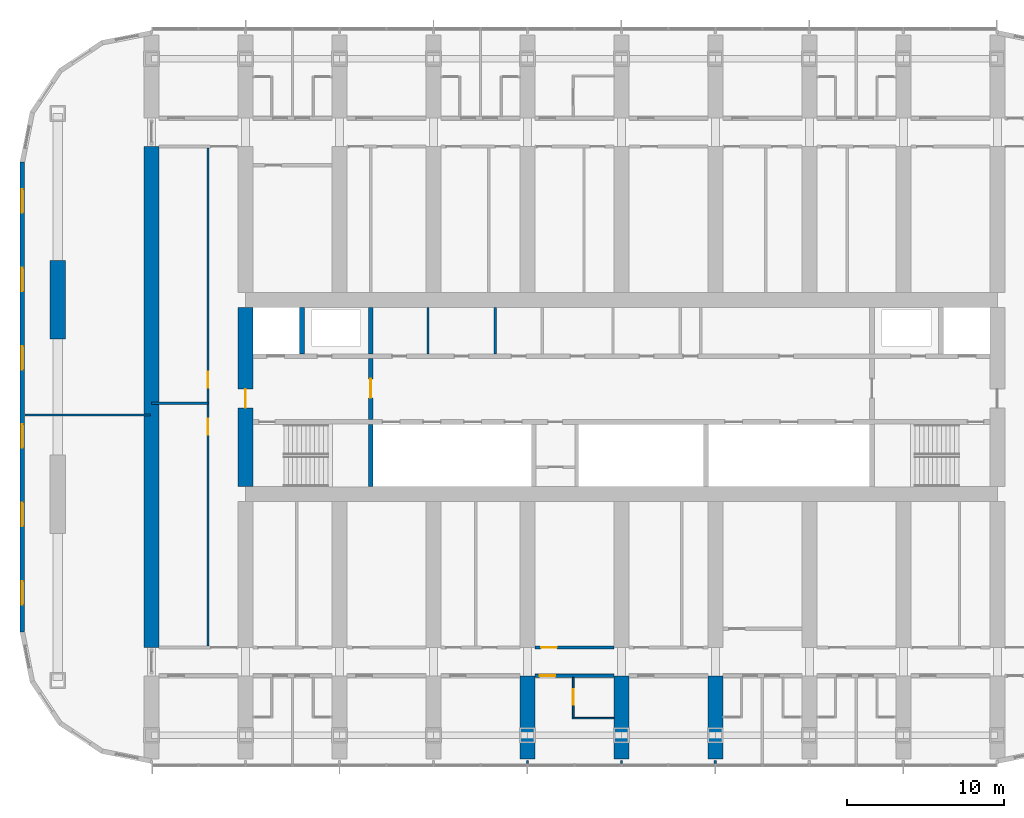
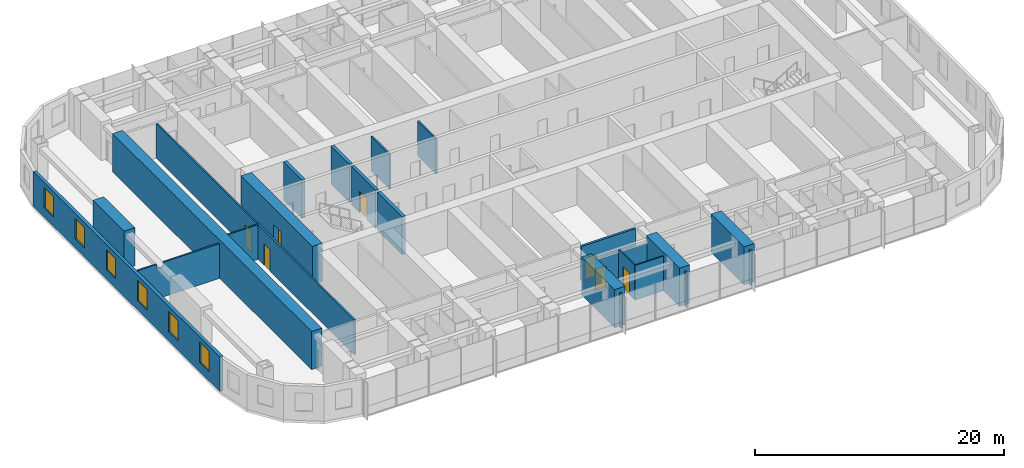
# One storey, part 9 of 20: 23 walls, 7 doors, 6 windows, 13 openings.
"""IFC4 building model written with IfcOpenShell, lengths in metres."""

from ifc_helpers import new_model, si_unit, direction, frame, frame_2d, origin, place, context, subcontext, project, spatial, polyline, rectangle, outline, extrude, material, layer, layer_set, type_object, element, fill, save


model = new_model("IFC4")

# Units and contexts
model_context = context("Model", 3, precision=1e-05, world=origin(), true_north=direction((0.0, 1.0)))
body_context = subcontext(model_context, "Body", "Model", "MODEL_VIEW")
ifc_project = project(units=[si_unit("LENGTHUNIT", "METRE"), si_unit("AREAUNIT", "SQUARE_METRE"), si_unit("VOLUMEUNIT", "CUBIC_METRE"), si_unit("PLANEANGLEUNIT", "RADIAN"), si_unit("MASSUNIT", "GRAM", prefix="KILO")], contexts=[model_context])

# Site, building, storey
site_placement = place(None, origin())
site = spatial("IfcSite", under=ifc_project, at=site_placement, CompositionType="ELEMENT")
building_placement = place(site_placement, origin())
building = spatial("IfcBuilding", under=site, at=building_placement, Name="Orbita Commons", CompositionType="ELEMENT")
storey_placement = place(building_placement, frame((0.0, 0.0, 129.39990234375)))
storey = spatial("IfcBuildingStorey", under=building, at=storey_placement, Name="L32", CompositionType="ELEMENT", Elevation=129.39990234375)

# Wall
ifc_material_1 = material(Name="Concrete C50/60", Category="concrete")
ifc_layer_1 = layer(ifc_material_1, 0.300048828125)
ifc_layer_set_1 = layer_set([ifc_layer_1], Name="Concrete C50/60")
wall_type_1 = type_object("IfcWallType", Name="Core inner wall 300 C50/60", PredefinedType="SHEAR", material=ifc_layer_set_1)
wall_1_placement = place(storey_placement, frame((26.0, 26.27490234375, 0.0), z_axis=(0.0, 0.0, 1.0), x_axis=(0.0, 1.0, 0.0)))
element("IfcWall", 1, at=wall_1_placement, inside=storey, type_object=wall_type_1, Name="Stair S1 wall L32", PredefinedType="SHEAR", context=body_context, shape_type="SweptSolid", body=[
    extrude(rectangle(XDim=3.97509765625, YDim=0.300048828125, at=frame_2d((1.987548828125, 0.0))), origin(), (0.0, 0.0, 1.0), 3.75),
])

# Wall, opening, door
wall_2_placement = place(storey_placement, frame((26.0, 30.550048828125, 0.0), z_axis=(0.0, 0.0, 1.0), x_axis=(0.0, 1.0, 0.0)))
wall_2 = element("IfcWall", 2, at=wall_2_placement, inside=storey, type_object=wall_type_1, Name="Firefighting lobby wall west L32", PredefinedType="SHEAR", context=body_context, shape_type="SweptSolid", body=[
    extrude(rectangle(XDim=3.89990234375, YDim=0.300048828125, at=frame_2d((1.949951171875, 0.0))), origin(), (0.0, 0.0, 1.0), 3.75),
])
opening_1_placement = place(wall_2_placement, frame((1.39990234375, 0.0, 0.0)))
opening_1 = element("IfcOpeningElement", 3, at=opening_1_placement, cuts=wall_2, Name="Opening D04", PredefinedType="OPENING", context=body_context, shape_type="SweptSolid", body=[
    extrude(rectangle(XDim=1.199951171875, YDim=2.10009765625, at=frame_2d((0.60009765625, 1.050048828125))), frame((0.0, 0.159912109375, 0.0), z_axis=(0.0, -1.0, 0.0), x_axis=(1.0, 0.0, 0.0)), (0.0, 0.0, 1.0), 0.320068359375),
])
ifc_material_2 = material(Name="Steel-faced fire door leaf", Category="steel")
door_type_1 = type_object("IfcDoorType", Name="Service door 20 min 1200x2100", OperationType="SINGLE_SWING_LEFT", PredefinedType="DOOR", material=ifc_material_2)
door_1_placement = place(opening_1_placement, origin())
door_1 = element("IfcDoor", 4, at=door_1_placement, inside=storey, type_object=door_type_1, Name="Lift lobby door west", OperationType="SINGLE_SWING_LEFT", OverallHeight=2.10009765625, OverallWidth=1.199951171875, PredefinedType="DOOR", context=body_context, shape_type="SweptSolid", body=[
    extrude(rectangle(XDim=1.199951171875, YDim=2.10009765625, at=frame_2d((0.60009765625, 1.050048828125))), frame((0.0, 0.02490234375, 0.0), z_axis=(0.0, -1.0, 0.0), x_axis=(1.0, 0.0, 0.0)), (0.0, 0.0, 1.0), 0.050048828125),
])
fill(opening_1, door_1)

# Walls
for number, where, z_axis, x_axis, name in (
    (5, (21.60009765625, 34.75, 0.0), (0.0, 0.0, 1.0), (0.0, 1.0, 0.0), "Firefighting lift FL1 shaft wall L32"),
    (6, (26.0, 34.75, 0.0), (0.0, 0.0, 1.0), (0.0, 1.0, 0.0), "Riser wall west L32"),
):
    element("IfcWall", number, at=place(storey_placement, frame(where, z_axis=z_axis, x_axis=x_axis)), inside=storey, type_object=wall_type_1, Name=name, PredefinedType="SHEAR", context=body_context, shape_type="SweptSolid", body=[
        extrude(rectangle(XDim=2.97509765625, YDim=0.300048828125, at=frame_2d((1.487548828125, 0.0))), origin(), (0.0, 0.0, 1.0), 3.75),
    ])
ifc_material_3 = material(Name="Concrete blockwork", Category="masonry")
ifc_layer_2 = layer(ifc_material_3, 0.14990234375)
ifc_layer_set_2 = layer_set([ifc_layer_2], Name="Concrete blockwork")
wall_type_2 = type_object("IfcWallType", Name="Core partition 150 blockwork", PredefinedType="SOLIDWALL", material=ifc_layer_set_2)
for number, where, z_axis, x_axis, name in (
    (7, (29.65087890625, 34.75, 0.0), (0.0, 0.0, 1.0), (0.0, 1.0, 0.0), "Core partition 150 blockwork L32"),
    (8, (33.9462890625, 34.75, 0.0), (0.0, 0.0, 1.0), (0.0, 1.0, 0.0), "Core partition 150 blockwork L32"),
):
    element("IfcWall", number, at=place(storey_placement, frame(where, z_axis=z_axis, x_axis=x_axis)), inside=storey, type_object=wall_type_2, Name=name, PredefinedType="SOLIDWALL", context=body_context, shape_type="SweptSolid", body=[
        extrude(rectangle(XDim=2.97509765625, YDim=0.14990234375, at=frame_2d((1.487548828125, 0.0))), origin(), (0.0, 0.0, 1.0), 3.400146484375),
    ])

# Wall, opening, door
ifc_material_4 = material(Name="Concrete C50/60", Category="concrete")
ifc_layer_3 = layer(ifc_material_4, 0.949951171875)
ifc_layer_set_3 = layer_set([ifc_layer_3], Name="Concrete C50/60")
wall_type_3 = type_object("IfcWallType", Name="Core wall 950 C50/60", PredefinedType="SHEAR", material=ifc_layer_set_3)
wall_3_placement = place(storey_placement, frame((18.0, 26.27490234375, 0.0), z_axis=(0.0, 0.0, 1.0), x_axis=(0.0, 1.0, 0.0)))
wall_3 = element("IfcWall", 9, at=wall_3_placement, inside=storey, type_object=wall_type_3, Name="Core end wall west L32", PredefinedType="SHEAR", context=body_context, shape_type="SweptSolid", body=[
    extrude(rectangle(XDim=11.4501953125, YDim=0.949951171875, at=frame_2d((5.72509765625, 0.0))), origin(), (0.0, 0.0, 1.0), 3.75),
])
opening_2_placement = place(wall_3_placement, frame((5.02490234375, 0.0, 0.0)))
opening_2 = element("IfcOpeningElement", 10, at=opening_2_placement, cuts=wall_3, Name="Opening D01", PredefinedType="OPENING", context=body_context, shape_type="SweptSolid", body=[
    extrude(rectangle(XDim=1.199951171875, YDim=2.10009765625, at=frame_2d((0.60009765625, 1.050048828125))), frame((0.0, 0.48486328125, 0.0), z_axis=(0.0, -1.0, 0.0), x_axis=(1.0, 0.0, 0.0)), (0.0, 0.0, 1.0), 0.969970703125),
])
ifc_material_5 = material(Name="Steel-faced fire door leaf", Category="steel")
door_type_2 = type_object("IfcDoorType", Name="Fire door 90 min 1200x2100", OperationType="SINGLE_SWING_LEFT", PredefinedType="DOOR", material=ifc_material_5)
door_2_placement = place(opening_2_placement, origin())
door_2 = element("IfcDoor", 11, at=door_2_placement, inside=storey, type_object=door_type_2, Name="Firefighting lobby west door", OperationType="SINGLE_SWING_LEFT", OverallHeight=2.10009765625, OverallWidth=1.199951171875, PredefinedType="DOOR", context=body_context, shape_type="SweptSolid", body=[
    extrude(rectangle(XDim=1.199951171875, YDim=2.10009765625, at=frame_2d((0.60009765625, 1.050048828125))), frame((0.0, 0.02490234375, 0.0), z_axis=(0.0, -1.0, 0.0), x_axis=(1.0, 0.0, 0.0)), (0.0, 0.0, 1.0), 0.050048828125),
])
fill(opening_2, door_2)

ifc_material_6 = material(Name="Concrete blockwork", Category="masonry")
ifc_layer_4 = layer(ifc_material_6, 0.199951171875)
ifc_layer_set_4 = layer_set([ifc_layer_4], Name="Concrete blockwork")
wall_type_4 = type_object("IfcWallType", Name="Corridor wall 200 blockwork", PredefinedType="SOLIDWALL", material=ifc_layer_set_4)
wall_4_placement = place(storey_placement, frame((36.47509765625, 14.199951171875, 0.0), z_axis=(0.0, 0.0, 1.0), x_axis=(1.0, 0.0, 0.0)))
wall_4 = element("IfcWall", 12, at=wall_4_placement, inside=storey, type_object=wall_type_4, Name="Corridor wall 200 blockwork L32", PredefinedType="SOLIDWALL", context=body_context, shape_type="SweptSolid", body=[
    extrude(outline(polyline([(0.0, 0.0), (5.0498046875, 0.0), (5.050048828125, 3.0), (0.0, 3.0), (0.0, 0.0)])), frame((0.0, 0.10009765625, 0.0), z_axis=(0.0, -1.0, 0.0), x_axis=(1.0, 0.0, 0.0)), (0.0, 0.0, 1.0), 0.199951171875),
])
opening_3_placement = place(wall_4_placement, frame((0.300048828125, 0.0, 0.0)))
opening_3 = element("IfcOpeningElement", 13, at=opening_3_placement, cuts=wall_4, Name="Opening D06", PredefinedType="OPENING", context=body_context, shape_type="SweptSolid", body=[
    extrude(rectangle(XDim=1.0, YDim=2.10009765625, at=frame_2d((0.5, 1.050048828125))), frame((0.0, 0.10986328125, 0.0), z_axis=(0.0, -1.0, 0.0), x_axis=(1.0, 0.0, 0.0)), (0.0, 0.0, 1.0), 0.219970703125),
])
ifc_material_7 = material(Name="Steel-faced fire door leaf", Category="steel")
door_type_3 = type_object("IfcDoorType", Name="Corridor door 20 min 1000x2100", OperationType="SINGLE_SWING_LEFT", PredefinedType="DOOR", material=ifc_material_7)
door_3_placement = place(opening_3_placement, origin())
door_3 = element("IfcDoor", 14, at=door_3_placement, inside=storey, type_object=door_type_3, Name="Accessible bedroom L32-S08 door", OperationType="SINGLE_SWING_LEFT", OverallHeight=2.10009765625, OverallWidth=1.0, PredefinedType="DOOR", context=body_context, shape_type="SweptSolid", body=[
    extrude(rectangle(XDim=1.0, YDim=2.10009765625, at=frame_2d((0.5, 1.050048828125))), frame((0.0, 0.02490234375, 0.0), z_axis=(0.0, -1.0, 0.0), x_axis=(1.0, 0.0, 0.0)), (0.0, 0.0, 1.0), 0.050048828125),
])
fill(opening_3, door_3)

ifc_material_8 = material(Name="Hollow concrete block 200", Category="concrete")
ifc_layer_5 = layer(ifc_material_8, 0.199951171875)
ifc_layer_set_5 = layer_set([ifc_layer_5], Name="Hollow concrete block 200")
wall_type_5 = type_object("IfcWallType", Name="Corridor wall 200 hollow concrete block", PredefinedType="SOLIDWALL", material=ifc_layer_set_5)
wall_5_placement = place(storey_placement, frame((36.47509765625, 16.0, 0.0), z_axis=(0.0, 0.0, 1.0), x_axis=(1.0, 0.0, 0.0)))
wall_5 = element("IfcWall", 15, at=wall_5_placement, inside=storey, type_object=wall_type_5, Name="Corridor wall 200 hollow concrete block L32", PredefinedType="SOLIDWALL", context=body_context, shape_type="SweptSolid", body=[
    extrude(rectangle(XDim=5.0498046875, YDim=0.199951171875, at=frame_2d((2.52490234375, 0.0))), origin(), (0.0, 0.0, 1.0), 3.400146484375),
])
opening_4_placement = place(wall_5_placement, frame((0.39990234375, 0.0, 0.0)))
opening_4 = element("IfcOpeningElement", 16, at=opening_4_placement, cuts=wall_5, Name="Opening D06", PredefinedType="OPENING", context=body_context, shape_type="SweptSolid", body=[
    extrude(rectangle(XDim=1.0, YDim=2.10009765625, at=frame_2d((0.5, 1.050048828125))), frame((0.0, 0.10986328125, 0.0), z_axis=(0.0, -1.0, 0.0), x_axis=(1.0, 0.0, 0.0)), (0.0, 0.0, 1.0), 0.219970703125),
])
door_4_placement = place(opening_4_placement, origin())
door_4 = element("IfcDoor", 17, at=door_4_placement, inside=storey, type_object=door_type_3, Name="Ventilation plant room south L32-BDS36 door", OperationType="SINGLE_SWING_LEFT", OverallHeight=2.10009765625, OverallWidth=1.0, PredefinedType="DOOR", context=body_context, shape_type="SweptSolid", body=[
    extrude(rectangle(XDim=1.0, YDim=2.10009765625, at=frame_2d((0.5, 1.050048828125))), frame((0.0, 0.02490234375, 0.0), z_axis=(0.0, -1.0, 0.0), x_axis=(1.0, 0.0, 0.0)), (0.0, 0.0, 1.0), 0.050048828125),
])
fill(opening_4, door_4)

# Walls
ifc_material_9 = material(Name="Concrete C50/60", Category="concrete")
ifc_layer_6 = layer(ifc_material_9, 0.949951171875)
ifc_layer_set_6 = layer_set([ifc_layer_6], Name="Concrete C50/60")
wall_type_6 = type_object("IfcWallType", Name="Cross wall 950 C50/60", PredefinedType="SHEAR", material=ifc_layer_set_6)
wall_6_placement = place(storey_placement, frame((12.0, 16.0, 0.0), z_axis=(0.0, 0.0, 1.0), x_axis=(0.0, 1.0, 0.0)))
element("IfcWall", 18, at=wall_6_placement, inside=storey, type_object=wall_type_6, Name="Cross wall 3 inner L32", PredefinedType="SHEAR", context=body_context, shape_type="SweptSolid", body=[
    extrude(rectangle(XDim=32.0, YDim=0.949951171875, at=frame_2d((16.0, 0.0))), origin(), (0.0, 0.0, 1.0), 3.75),
])
for number, where, z_axis, x_axis, name in (
    (19, (36.0, 8.89990234375, 0.0), (0.0, 0.0, 1.0), (0.0, 1.0, 0.0), "Cross wall 7 south outer L32"),
    (20, (42.0, 8.89990234375, 0.0), (0.0, 0.0, 1.0), (0.0, 1.0, 0.0), "Cross wall 8 south outer L32"),
    (21, (48.0, 8.89990234375, 0.0), (0.0, 0.0, 1.0), (0.0, 1.0, 0.0), "Cross wall 9 south outer L32"),
):
    element("IfcWall", number, at=place(storey_placement, frame(where, z_axis=z_axis, x_axis=x_axis)), inside=storey, type_object=wall_type_6, Name=name, PredefinedType="SHEAR", context=body_context, shape_type="SweptSolid", body=[
        extrude(rectangle(XDim=5.300048828125, YDim=0.949951171875, at=frame_2d((2.64990234375, 0.0))), origin(), (0.0, 0.0, 1.0), 3.75),
    ])
ifc_material_10 = material(Name="Moisture-resistant plasterboard on steel studs", Category="steel")
ifc_layer_7 = layer(ifc_material_10, 0.10009765625)
ifc_layer_set_7 = layer_set([ifc_layer_7], Name="Moisture-resistant plasterboard on steel studs")
wall_type_7 = type_object("IfcWallType", Name="En-suite partition 100", PredefinedType="PARTITIONING", material=ifc_layer_set_7)
wall_7_placement = place(storey_placement, frame((38.875, 11.5, 0.0), z_axis=(0.0, 0.0, 1.0), x_axis=(1.0, 0.0, 0.0)))
element("IfcWall", 22, at=wall_7_placement, inside=storey, type_object=wall_type_7, Name="En-suite partition 100 L32", PredefinedType="PARTITIONING", context=body_context, shape_type="SweptSolid", body=[
    extrude(rectangle(XDim=2.64990234375, YDim=0.10009765625, at=frame_2d((1.324951171875, 0.0))), origin(), (0.0, 0.0, 1.0), 3.400146484375),
])

# Wall, opening, door
wall_8_placement = place(storey_placement, frame((38.925048828125, 11.550048828125, 0.0), z_axis=(0.0, 0.0, 1.0), x_axis=(0.0, 1.0, 0.0)))
wall_8 = element("IfcWall", 23, at=wall_8_placement, inside=storey, type_object=wall_type_7, Name="En-suite partition 100 L32", PredefinedType="PARTITIONING", context=body_context, shape_type="SweptSolid", body=[
    extrude(outline(polyline([(0.0, 0.0), (2.550048828125, 0.0), (2.550048828125, 3.0), (2.501953125, 3.0), (2.5, 3.400146484375), (0.0, 3.400146484375), (0.0, 0.0)])), frame((0.0, 0.050048828125, 0.0), z_axis=(0.0, -1.0, 0.0), x_axis=(1.0, 0.0, 0.0)), (0.0, 0.0, 1.0), 0.10009765625),
])
opening_5_placement = place(wall_8_placement, frame((0.800048828125, 0.0, 0.0)))
opening_5 = element("IfcOpeningElement", 24, at=opening_5_placement, cuts=wall_8, Name="Opening D13", PredefinedType="OPENING", context=body_context, shape_type="SweptSolid", body=[
    extrude(rectangle(XDim=1.0, YDim=2.10009765625, at=frame_2d((0.5, 1.050048828125))), frame((0.0, 0.06005859375, 0.0), z_axis=(0.0, -1.0, 0.0), x_axis=(1.0, 0.0, 0.0)), (0.0, 0.0, 1.0), 0.1201171875),
])
ifc_material_11 = material(Name="Laminated timber door leaf", Category="wood")
door_type_4 = type_object("IfcDoorType", Name="En-suite door 1000x2100", OperationType="SINGLE_SWING_RIGHT", PredefinedType="DOOR", material=ifc_material_11)
door_5_placement = place(opening_5_placement, origin())
door_5 = element("IfcDoor", 25, at=door_5_placement, inside=storey, type_object=door_type_4, Name="Accessible shower room L32-S08 door", OperationType="SINGLE_SWING_RIGHT", OverallHeight=2.10009765625, OverallWidth=1.0, PredefinedType="DOOR", context=body_context, shape_type="SweptSolid", body=[
    extrude(rectangle(XDim=1.0, YDim=2.10009765625, at=frame_2d((0.5, 1.050048828125))), frame((0.0, 0.02490234375, 0.0), z_axis=(0.0, -1.0, 0.0), x_axis=(1.0, 0.0, 0.0)), (0.0, 0.0, 1.0), 0.050048828125),
])
fill(opening_5, door_5)

# Wall
ifc_material_12 = material(Name="Concrete C50/60", Category="concrete")
ifc_layer_8 = layer(ifc_material_12, 1.0)
ifc_layer_set_8 = layer_set([ifc_layer_8], Name="Concrete C50/60")
wall_type_8 = type_object("IfcWallType", Name="End pier 1000x5000 C50/60", PredefinedType="SHEAR", material=ifc_layer_set_8)
wall_9_placement = place(storey_placement, frame((6.0, 35.699951171875, 0.0), z_axis=(0.0, 0.0, 1.0), x_axis=(0.0, 1.0, 0.0)))
element("IfcWall", 26, at=wall_9_placement, inside=storey, type_object=wall_type_8, Name="End pier 2/D L32", PredefinedType="SHEAR", context=body_context, shape_type="SweptSolid", body=[
    extrude(rectangle(XDim=5.0, YDim=1.0, at=frame_2d((2.5, 0.0))), origin(), (0.0, 0.0, 1.0), 3.75),
])

# Wall, openings, doors
ifc_material_13 = material(Name="Gypsum plasterboard on steel studs", Category="steel")
ifc_layer_9 = layer(ifc_material_13, 0.14990234375)
ifc_layer_set_9 = layer_set([ifc_layer_9], Name="Gypsum plasterboard on steel studs")
wall_type_9 = type_object("IfcWallType", Name="Partition 150 plasterboard", PredefinedType="PARTITIONING", material=ifc_layer_set_9)
wall_10_placement = place(storey_placement, frame((15.60009765625, 16.10009765625, 0.0), z_axis=(0.0, 0.0, 1.0), x_axis=(0.0, 1.0, 0.0)))
wall_10 = element("IfcWall", 27, at=wall_10_placement, inside=storey, type_object=wall_type_9, Name="Partition 150 plasterboard L32", PredefinedType="PARTITIONING", context=body_context, shape_type="SweptSolid", body=[
    extrude(rectangle(XDim=31.7998046875, YDim=0.14990234375, at=frame_2d((15.89990234375, 0.0))), origin(), (0.0, 0.0, 1.0), 3.400146484375),
])
opening_6_placement = place(wall_10_placement, frame((13.5, 0.0, 0.0)))
opening_6 = element("IfcOpeningElement", 28, at=opening_6_placement, cuts=wall_10, Name="Opening D06", PredefinedType="OPENING", context=body_context, shape_type="SweptSolid", body=[
    extrude(rectangle(XDim=1.0, YDim=2.10009765625, at=frame_2d((0.5, 1.050048828125))), frame((0.0, 0.0849609375, 0.0), z_axis=(0.0, -1.0, 0.0), x_axis=(1.0, 0.0, 0.0)), (0.0, 0.0, 1.0), 0.169921875),
])
opening_7_placement = place(wall_10_placement, frame((16.5, 0.0, 0.0)))
opening_7 = element("IfcOpeningElement", 29, at=opening_7_placement, cuts=wall_10, Name="Opening D06", PredefinedType="OPENING", context=body_context, shape_type="SweptSolid", body=[
    extrude(rectangle(XDim=1.0, YDim=2.10009765625, at=frame_2d((0.5, 1.050048828125))), frame((0.0, 0.0849609375, 0.0), z_axis=(0.0, -1.0, 0.0), x_axis=(1.0, 0.0, 0.0)), (0.0, 0.0, 1.0), 0.169921875),
])
door_6_placement = place(opening_6_placement, origin())
door_6 = element("IfcDoor", 30, at=door_6_placement, inside=storey, type_object=door_type_3, Name="Interview room door", OperationType="SINGLE_SWING_LEFT", OverallHeight=2.10009765625, OverallWidth=1.0, PredefinedType="DOOR", context=body_context, shape_type="SweptSolid", body=[
    extrude(rectangle(XDim=1.0, YDim=2.10009765625, at=frame_2d((0.5, 1.050048828125))), frame((0.0, 0.02490234375, 0.0), z_axis=(0.0, -1.0, 0.0), x_axis=(1.0, 0.0, 0.0)), (0.0, 0.0, 1.0), 0.050048828125),
])
fill(opening_6, door_6)
door_7_placement = place(opening_7_placement, origin())
door_7 = element("IfcDoor", 31, at=door_7_placement, inside=storey, type_object=door_type_3, Name="Prayer room door", OperationType="SINGLE_SWING_LEFT", OverallHeight=2.10009765625, OverallWidth=1.0, PredefinedType="DOOR", context=body_context, shape_type="SweptSolid", body=[
    extrude(rectangle(XDim=1.0, YDim=2.10009765625, at=frame_2d((0.5, 1.050048828125))), frame((0.0, 0.02490234375, 0.0), z_axis=(0.0, -1.0, 0.0), x_axis=(1.0, 0.0, 0.0)), (0.0, 0.0, 1.0), 0.050048828125),
])
fill(opening_7, door_7)

# Walls
wall_11_placement = place(storey_placement, frame((12.0, 31.60009765625, 0.0), z_axis=(0.0, 0.0, 1.0), x_axis=(1.0, 0.0, 0.0)))
element("IfcWall", 32, at=wall_11_placement, inside=storey, type_object=wall_type_9, Name="Partition 150 plasterboard L32", PredefinedType="PARTITIONING", context=body_context, shape_type="SweptSolid", body=[
    extrude(rectangle(XDim=3.60009765625, YDim=0.14990234375, at=frame_2d((1.800048828125, 0.0))), origin(), (0.0, 0.0, 1.0), 3.400146484375),
])
wall_12_placement = place(storey_placement, frame((3.905029296875, 30.85009765625, 0.0), z_axis=(0.0, 0.0, 1.0), x_axis=(1.0, 0.0, 0.0)))
element("IfcWall", 33, at=wall_12_placement, inside=storey, type_object=wall_type_9, Name="Partition 150 plasterboard L32", PredefinedType="PARTITIONING", context=body_context, shape_type="SweptSolid", body=[
    extrude(outline(polyline([(0.0, 0.0), (8.02001953125, 0.0), (8.02001953125, 3.400146484375), (2.39697265625, 3.400146484375), (2.39501953125, 2.9501953125), (1.797119140625, 2.9501953125), (1.794921875, 3.400146484375), (0.0, 3.400146484375), (0.0, 0.0)])), frame((0.0, 0.074951171875, 0.0), z_axis=(0.0, -1.0, 0.0), x_axis=(1.0, 0.0, 0.0)), (0.0, 0.0, 1.0), 0.14990234375),
])
for number, where, z_axis, x_axis, name in (
    (34, (36.0, 8.800048828125, 0.0), (0.0, 0.0, 1.0), (0.0, -1.0, 0.0), "Partition 150 plasterboard L32"),
    (35, (42.0, 8.800048828125, 0.0), (0.0, 0.0, 1.0), (0.0, -1.0, 0.0), "Partition 150 plasterboard L32"),
    (36, (48.0, 8.800048828125, 0.0), (0.0, 0.0, 1.0), (0.0, -1.0, 0.0), "Partition 150 plasterboard L32"),
):
    element("IfcWall", number, at=place(storey_placement, frame(where, z_axis=z_axis, x_axis=x_axis)), inside=storey, type_object=wall_type_9, Name=name, PredefinedType="PARTITIONING", context=body_context, shape_type="SweptSolid", body=[
        extrude(rectangle(XDim=0.18994140625, YDim=0.14990234375, at=frame_2d((0.094970703125, 0.0))), origin(), (0.0, 0.0, 1.0), 3.400146484375),
    ])

# Wall, openings, windows
ifc_material_14 = material(Name="Precast concrete C40/50, white board-marked finish", Category="concrete")
ifc_layer_10 = layer(ifc_material_14, 0.300048828125)
ifc_layer_set_10 = layer_set([ifc_layer_10], Name="Precast concrete C40/50, white board-marked finish")
wall_type_10 = type_object("IfcWallType", Name="Precast concrete end shield 300", PredefinedType="SOLIDWALL", material=ifc_layer_set_10)
wall_13_placement = place(storey_placement, frame((3.75, 47.0, 0.0), z_axis=(0.0, 0.0, 1.0), x_axis=(0.0, -1.0, 0.0)))
wall_13 = element("IfcWall", 37, at=wall_13_placement, inside=storey, type_object=wall_type_10, Name="End shield W L32", PredefinedType="SOLIDWALL", context=body_context, shape_type="SweptSolid", body=[
    extrude(outline(polyline([(-0.014892578125, -0.14990234375), (30.014892578125, -0.14990234375), (29.985107421875, 0.14990234375), (0.014892578125, 0.14990234375), (-0.014892578125, -0.14990234375)])), origin(), (0.0, 0.0, 1.0), 3.400146484375),
])
opening_8_placement = place(wall_13_placement, frame((1.75, 0.0, 0.89990234375)))
opening_8 = element("IfcOpeningElement", 38, at=opening_8_placement, cuts=wall_13, Name="Opening W01", PredefinedType="OPENING", context=body_context, shape_type="SweptSolid", body=[
    extrude(rectangle(XDim=1.5, YDim=2.0, at=frame_2d((0.75, 1.0))), frame((0.0, 0.159912109375, 0.0), z_axis=(0.0, -1.0, 0.0), x_axis=(1.0, 0.0, 0.0)), (0.0, 0.0, 1.0), 0.320068359375),
])
opening_9_placement = place(wall_13_placement, frame((6.75, 0.0, 0.89990234375)))
opening_9 = element("IfcOpeningElement", 39, at=opening_9_placement, cuts=wall_13, Name="Opening W01", PredefinedType="OPENING", context=body_context, shape_type="SweptSolid", body=[
    extrude(rectangle(XDim=1.5, YDim=2.0, at=frame_2d((0.75, 1.0))), frame((0.0, 0.159912109375, 0.0), z_axis=(0.0, -1.0, 0.0), x_axis=(1.0, 0.0, 0.0)), (0.0, 0.0, 1.0), 0.320068359375),
])
opening_10_placement = place(wall_13_placement, frame((11.75, 0.0, 0.89990234375)))
opening_10 = element("IfcOpeningElement", 40, at=opening_10_placement, cuts=wall_13, Name="Opening W01", PredefinedType="OPENING", context=body_context, shape_type="SweptSolid", body=[
    extrude(rectangle(XDim=1.5, YDim=2.0, at=frame_2d((0.75, 1.0))), frame((0.0, 0.159912109375, 0.0), z_axis=(0.0, -1.0, 0.0), x_axis=(1.0, 0.0, 0.0)), (0.0, 0.0, 1.0), 0.320068359375),
])
opening_11_placement = place(wall_13_placement, frame((16.75, 0.0, 0.89990234375)))
opening_11 = element("IfcOpeningElement", 41, at=opening_11_placement, cuts=wall_13, Name="Opening W01", PredefinedType="OPENING", context=body_context, shape_type="SweptSolid", body=[
    extrude(rectangle(XDim=1.5, YDim=2.0, at=frame_2d((0.75, 1.0))), frame((0.0, 0.159912109375, 0.0), z_axis=(0.0, -1.0, 0.0), x_axis=(1.0, 0.0, 0.0)), (0.0, 0.0, 1.0), 0.320068359375),
])
opening_12_placement = place(wall_13_placement, frame((21.75, 0.0, 0.89990234375)))
opening_12 = element("IfcOpeningElement", 42, at=opening_12_placement, cuts=wall_13, Name="Opening W01", PredefinedType="OPENING", context=body_context, shape_type="SweptSolid", body=[
    extrude(rectangle(XDim=1.5, YDim=2.0, at=frame_2d((0.75, 1.0))), frame((0.0, 0.159912109375, 0.0), z_axis=(0.0, -1.0, 0.0), x_axis=(1.0, 0.0, 0.0)), (0.0, 0.0, 1.0), 0.320068359375),
])
opening_13_placement = place(wall_13_placement, frame((26.75, 0.0, 0.89990234375)))
opening_13 = element("IfcOpeningElement", 43, at=opening_13_placement, cuts=wall_13, Name="Opening W01", PredefinedType="OPENING", context=body_context, shape_type="SweptSolid", body=[
    extrude(rectangle(XDim=1.5, YDim=2.0, at=frame_2d((0.75, 1.0))), frame((0.0, 0.159912109375, 0.0), z_axis=(0.0, -1.0, 0.0), x_axis=(1.0, 0.0, 0.0)), (0.0, 0.0, 1.0), 0.320068359375),
])
ifc_material_15 = material(Name="Aluminium frame, clear double glazing", Category="aluminium")
window_type = type_object("IfcWindowType", Name="Deep-set window 1500x2000", PartitioningType="SINGLE_PANEL", PredefinedType="WINDOW", material=ifc_material_15)
window_1_placement = place(opening_8_placement, origin())
window_1 = element("IfcWindow", 44, at=window_1_placement, inside=storey, type_object=window_type, Name="Window L32-W 1", OverallHeight=2.0, OverallWidth=1.5, PartitioningType="SINGLE_PANEL", PredefinedType="WINDOW", context=body_context, shape_type="SweptSolid", body=[
    extrude(rectangle(XDim=1.5, YDim=2.0, at=frame_2d((0.75, 1.0))), frame((0.0, 0.030029296875, 0.0), z_axis=(0.0, -1.0, 0.0), x_axis=(1.0, 0.0, 0.0)), (0.0, 0.0, 1.0), 0.06005859375),
])
fill(opening_8, window_1)
window_2_placement = place(opening_9_placement, origin())
window_2 = element("IfcWindow", 45, at=window_2_placement, inside=storey, type_object=window_type, Name="Window L32-W 2", OverallHeight=2.0, OverallWidth=1.5, PartitioningType="SINGLE_PANEL", PredefinedType="WINDOW", context=body_context, shape_type="SweptSolid", body=[
    extrude(rectangle(XDim=1.5, YDim=2.0, at=frame_2d((0.75, 1.0))), frame((0.0, 0.030029296875, 0.0), z_axis=(0.0, -1.0, 0.0), x_axis=(1.0, 0.0, 0.0)), (0.0, 0.0, 1.0), 0.06005859375),
])
fill(opening_9, window_2)
window_3_placement = place(opening_10_placement, origin())
window_3 = element("IfcWindow", 46, at=window_3_placement, inside=storey, type_object=window_type, Name="Window L32-W 3", OverallHeight=2.0, OverallWidth=1.5, PartitioningType="SINGLE_PANEL", PredefinedType="WINDOW", context=body_context, shape_type="SweptSolid", body=[
    extrude(rectangle(XDim=1.5, YDim=2.0, at=frame_2d((0.75, 1.0))), frame((0.0, 0.030029296875, 0.0), z_axis=(0.0, -1.0, 0.0), x_axis=(1.0, 0.0, 0.0)), (0.0, 0.0, 1.0), 0.06005859375),
])
fill(opening_10, window_3)
window_4_placement = place(opening_11_placement, origin())
window_4 = element("IfcWindow", 47, at=window_4_placement, inside=storey, type_object=window_type, Name="Window L32-W 4", OverallHeight=2.0, OverallWidth=1.5, PartitioningType="SINGLE_PANEL", PredefinedType="WINDOW", context=body_context, shape_type="SweptSolid", body=[
    extrude(rectangle(XDim=1.5, YDim=2.0, at=frame_2d((0.75, 1.0))), frame((0.0, 0.030029296875, 0.0), z_axis=(0.0, -1.0, 0.0), x_axis=(1.0, 0.0, 0.0)), (0.0, 0.0, 1.0), 0.06005859375),
])
fill(opening_11, window_4)
window_5_placement = place(opening_12_placement, origin())
window_5 = element("IfcWindow", 48, at=window_5_placement, inside=storey, type_object=window_type, Name="Window L32-W 5", OverallHeight=2.0, OverallWidth=1.5, PartitioningType="SINGLE_PANEL", PredefinedType="WINDOW", context=body_context, shape_type="SweptSolid", body=[
    extrude(rectangle(XDim=1.5, YDim=2.0, at=frame_2d((0.75, 1.0))), frame((0.0, 0.030029296875, 0.0), z_axis=(0.0, -1.0, 0.0), x_axis=(1.0, 0.0, 0.0)), (0.0, 0.0, 1.0), 0.06005859375),
])
fill(opening_12, window_5)
window_6_placement = place(opening_13_placement, origin())
window_6 = element("IfcWindow", 49, at=window_6_placement, inside=storey, type_object=window_type, Name="Window L32-W 6", OverallHeight=2.0, OverallWidth=1.5, PartitioningType="SINGLE_PANEL", PredefinedType="WINDOW", context=body_context, shape_type="SweptSolid", body=[
    extrude(rectangle(XDim=1.5, YDim=2.0, at=frame_2d((0.75, 1.0))), frame((0.0, 0.030029296875, 0.0), z_axis=(0.0, -1.0, 0.0), x_axis=(1.0, 0.0, 0.0)), (0.0, 0.0, 1.0), 0.06005859375),
])
fill(opening_13, window_6)

save(model, "model.ifc")
